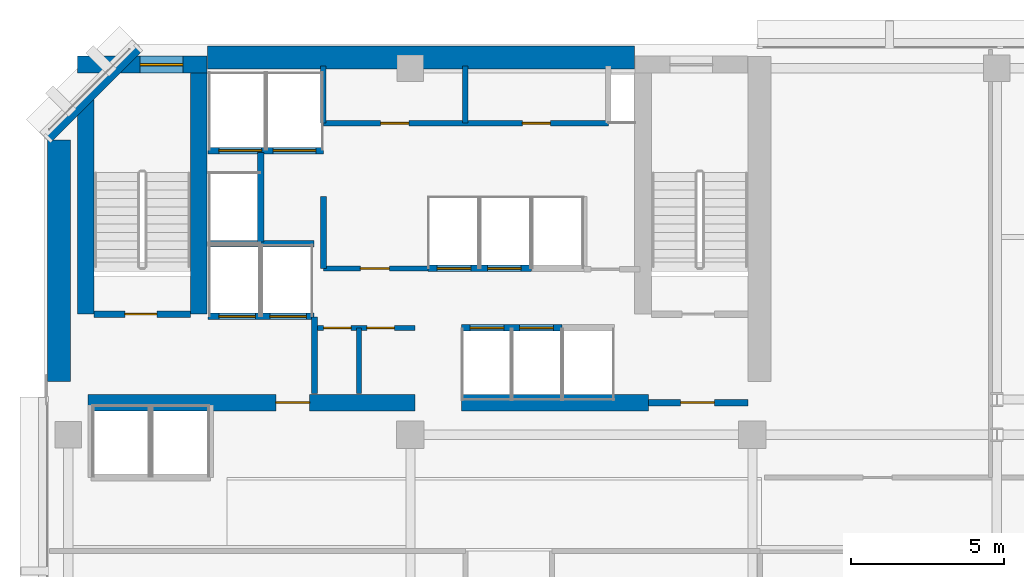
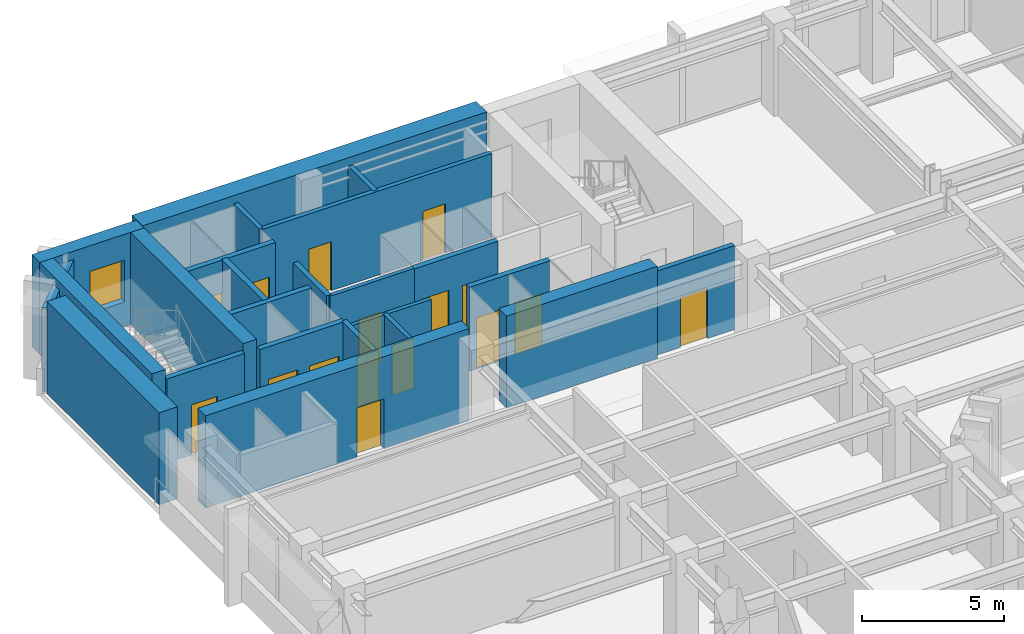
# One storey, part 7 of 11: 24 walls, 16 doors, 1 window, 17 openings.
"""IFC4 building model written with IfcOpenShell, lengths in metres."""

from ifc_helpers import new_model, si_unit, direction, frame, frame_2d, origin, place, context, subcontext, project, spatial, rectangle, extrude, material, layer, layer_set, type_object, element, fill, save


model = new_model("IFC4")

# Units and contexts
model_context = context("Model", 3, precision=1e-05, world=origin(), true_north=direction((0.0, 1.0)))
body_context = subcontext(model_context, "Body", "Model", "MODEL_VIEW")
ifc_project = project(units=[si_unit("LENGTHUNIT", "METRE"), si_unit("AREAUNIT", "SQUARE_METRE"), si_unit("VOLUMEUNIT", "CUBIC_METRE"), si_unit("PLANEANGLEUNIT", "RADIAN"), si_unit("MASSUNIT", "GRAM", prefix="KILO")], contexts=[model_context])

# Site, building, storey
site_placement = place(None, origin())
site = spatial("IfcSite", under=ifc_project, at=site_placement, CompositionType="ELEMENT")
building_placement = place(site_placement, origin())
building = spatial("IfcBuilding", under=site, at=building_placement, Name="Kefirva Bronze Tower", CompositionType="ELEMENT")
storey_placement = place(building_placement, frame((0.0, 0.0, 170.610107421875)))
storey = spatial("IfcBuildingStorey", under=building, at=storey_placement, Name="L41", CompositionType="ELEMENT", Elevation=170.610107421875)

# Wall, opening, door
ifc_material_1 = material(Name="Gypsum fireboard shaftwall")
ifc_layer_1 = layer(ifc_material_1, 0.219970703125, Name="Gypsum fireboard shaftwall")
ifc_layer_set_1 = layer_set([ifc_layer_1], Name="Gypsum fireboard shaftwall")
wall_type_1 = type_object("IfcWallType", Name="Fire-Rated Shaft Enclosure Wall 220mm", PredefinedType="PARTITIONING", material=ifc_layer_set_1)
wall_1_placement = place(storey_placement, frame((1.64990234375, 37.14990234375, 0.0), z_axis=(0.0, 0.0, 1.0), x_axis=(1.0, 0.0, 0.0)))
wall_1 = element("IfcWall", 1, at=wall_1_placement, inside=storey, type_object=wall_type_1, Name="L41 Partition W-L41-ST1S", PredefinedType="PARTITIONING", context=body_context, shape_type="SweptSolid", body=[
    extrude(rectangle(XDim=3.150146484375, YDim=0.219970703125, at=frame_2d((1.5751953125, 0.0))), origin(), (0.0, 0.0, 1.0), 3.60986328125),
])
opening_1_placement = place(wall_1_placement, frame((2.050048828125, 0.0, 0.0), z_axis=(0.0, 0.0, 1.0), x_axis=(-1.0, 0.0, 0.0)))
opening_1 = element("IfcOpeningElement", 2, at=opening_1_placement, cuts=wall_1, Name="Opening L41-D001", PredefinedType="OPENING", context=body_context, shape_type="SweptSolid", body=[
    extrude(rectangle(XDim=1.050048828125, YDim=2.14990234375, at=frame_2d((0.52490234375, 1.074951171875))), frame((0.0, 0.1201171875, 0.0), z_axis=(0.0, -1.0, 0.0), x_axis=(1.0, 0.0, 0.0)), (0.0, 0.0, 1.0), 0.239990234375),
])
ifc_material_2 = material(Name="Painted galvanized steel", Category="steel")
door_type_1 = type_object("IfcDoorType", Name="Fire Stair Enclosure Door 1050x2150 FD90S", OperationType="NOTDEFINED", PredefinedType="DOOR", material=ifc_material_2)
door_1_placement = place(opening_1_placement, origin())
door_1 = element("IfcDoor", 3, at=door_1_placement, inside=storey, type_object=door_type_1, Name="Door L41-D001", OperationType="SINGLE_SWING_LEFT", OverallHeight=2.14990234375, OverallWidth=1.050048828125, PredefinedType="DOOR", context=body_context, shape_type="SweptSolid", body=[
    extrude(rectangle(XDim=1.050048828125, YDim=2.14990234375, at=frame_2d((0.52490234375, 1.074951171875))), frame((0.0, 0.02490234375, 0.0), z_axis=(0.0, -1.0, 0.0), x_axis=(1.0, 0.0, 0.0)), (0.0, 0.0, 1.0), 0.050048828125),
])
fill(opening_1, door_1)

# Wall, openings, doors
wall_2_placement = place(storey_placement, frame((5.3798828125, 37.080078125, 0.0), z_axis=(0.0, 0.0, 1.0), x_axis=(1.0, 0.0, 0.0)))
wall_2 = element("IfcWall", 4, at=wall_2_placement, inside=storey, type_object=wall_type_1, Name="L41 Partition W-L41-FFS", PredefinedType="PARTITIONING", context=body_context, shape_type="SweptSolid", body=[
    extrude(rectangle(XDim=3.460205078125, YDim=0.219970703125, at=frame_2d((1.72998046875, 0.0))), origin(), (0.0, 0.0, 1.0), 3.60986328125),
])
opening_2_placement = place(wall_2_placement, frame((1.550048828125, 0.0, 0.0), z_axis=(0.0, 0.0, 1.0), x_axis=(-1.0, 0.0, 0.0)))
opening_2 = element("IfcOpeningElement", 5, at=opening_2_placement, cuts=wall_2, Name="Opening L41-LD-FF1", PredefinedType="OPENING", context=body_context, shape_type="SweptSolid", body=[
    extrude(rectangle(XDim=1.199951171875, YDim=2.199951171875, at=frame_2d((0.60009765625, 1.10009765625))), frame((0.0, 0.1201171875, 0.0), z_axis=(0.0, -1.0, 0.0), x_axis=(1.0, 0.0, 0.0)), (0.0, 0.0, 1.0), 0.239990234375),
])
opening_3_placement = place(wall_2_placement, frame((3.219970703125, 0.0, 0.0), z_axis=(0.0, 0.0, 1.0), x_axis=(-1.0, 0.0, 0.0)))
opening_3 = element("IfcOpeningElement", 6, at=opening_3_placement, cuts=wall_2, Name="Opening L41-LD-FF2", PredefinedType="OPENING", context=body_context, shape_type="SweptSolid", body=[
    extrude(rectangle(XDim=1.199951171875, YDim=2.199951171875, at=frame_2d((0.60009765625, 1.10009765625))), frame((0.0, 0.1201171875, 0.0), z_axis=(0.0, -1.0, 0.0), x_axis=(1.0, 0.0, 0.0)), (0.0, 0.0, 1.0), 0.239990234375),
])
ifc_material_3 = material(Name="Stainless steel 316", Category="steel")
door_type_2 = type_object("IfcDoorType", Name="Firefighting Lift Sliding Door 1200x2200", OperationType="SLIDING_TO_RIGHT", PredefinedType="DOOR", material=ifc_material_3)
door_2_placement = place(opening_2_placement, origin())
door_2 = element("IfcDoor", 7, at=door_2_placement, inside=storey, type_object=door_type_2, Name="Door L41-LD-FF1", OperationType="SLIDING_TO_RIGHT", OverallHeight=2.199951171875, OverallWidth=1.199951171875, PredefinedType="DOOR", context=body_context, shape_type="SweptSolid", body=[
    extrude(rectangle(XDim=1.199951171875, YDim=2.199951171875, at=frame_2d((0.60009765625, 1.10009765625))), frame((0.0, 0.02490234375, 0.0), z_axis=(0.0, -1.0, 0.0), x_axis=(1.0, 0.0, 0.0)), (0.0, 0.0, 1.0), 0.050048828125),
])
fill(opening_2, door_2)
door_3_placement = place(opening_3_placement, origin())
door_3 = element("IfcDoor", 8, at=door_3_placement, inside=storey, type_object=door_type_2, Name="Door L41-LD-FF2", OperationType="SLIDING_TO_RIGHT", OverallHeight=2.199951171875, OverallWidth=1.199951171875, PredefinedType="DOOR", context=body_context, shape_type="SweptSolid", body=[
    extrude(rectangle(XDim=1.199951171875, YDim=2.199951171875, at=frame_2d((0.60009765625, 1.10009765625))), frame((0.0, 0.02490234375, 0.0), z_axis=(0.0, -1.0, 0.0), x_axis=(1.0, 0.0, 0.0)), (0.0, 0.0, 1.0), 0.050048828125),
])
fill(opening_3, door_3)

# Wall
wall_3_placement = place(storey_placement, frame((5.3798828125, 39.449951171875, 0.0), z_axis=(0.0, 0.0, 1.0), x_axis=(1.0, 0.0, 0.0)))
element("IfcWall", 9, at=wall_3_placement, inside=storey, type_object=wall_type_1, Name="L41 Partition W-L41-FFN", PredefinedType="PARTITIONING", context=body_context, shape_type="SweptSolid", body=[
    extrude(rectangle(XDim=3.460205078125, YDim=0.219970703125, at=frame_2d((1.72998046875, 0.0))), origin(), (0.0, 0.0, 1.0), 3.60986328125),
])

# Wall, openings, doors
wall_4_placement = place(storey_placement, frame((5.3798828125, 42.5, 0.0), z_axis=(0.0, 0.0, 1.0), x_axis=(1.0, 0.0, 0.0)))
wall_4 = element("IfcWall", 10, at=wall_4_placement, inside=storey, type_object=wall_type_1, Name="L41 Partition W-L41-SVS", PredefinedType="PARTITIONING", context=body_context, shape_type="SweptSolid", body=[
    extrude(rectangle(XDim=3.77001953125, YDim=0.219970703125, at=frame_2d((1.885009765625, 0.0))), origin(), (0.0, 0.0, 1.0), 3.60986328125),
])
opening_4_placement = place(wall_4_placement, frame((1.75, 0.0, 0.0), z_axis=(0.0, 0.0, 1.0), x_axis=(-1.0, 0.0, 0.0)))
opening_4 = element("IfcOpeningElement", 11, at=opening_4_placement, cuts=wall_4, Name="Opening L41-LD-SV1", PredefinedType="OPENING", context=body_context, shape_type="SweptSolid", body=[
    extrude(rectangle(XDim=1.39990234375, YDim=2.199951171875, at=frame_2d((0.699951171875, 1.10009765625))), frame((0.0, 0.1201171875, 0.0), z_axis=(0.0, -1.0, 0.0), x_axis=(1.0, 0.0, 0.0)), (0.0, 0.0, 1.0), 0.239990234375),
])
opening_5_placement = place(wall_4_placement, frame((3.52978515625, 0.0, 0.0), z_axis=(0.0, 0.0, 1.0), x_axis=(-1.0, 0.0, 0.0)))
opening_5 = element("IfcOpeningElement", 12, at=opening_5_placement, cuts=wall_4, Name="Opening L41-LD-SV2", PredefinedType="OPENING", context=body_context, shape_type="SweptSolid", body=[
    extrude(rectangle(XDim=1.39990234375, YDim=2.199951171875, at=frame_2d((0.699951171875, 1.10009765625))), frame((0.0, 0.1201171875, 0.0), z_axis=(0.0, -1.0, 0.0), x_axis=(1.0, 0.0, 0.0)), (0.0, 0.0, 1.0), 0.239990234375),
])
door_type_3 = type_object("IfcDoorType", Name="Goods Lift Bi-Parting Sliding Door 1400x2200", OperationType="SLIDING_TO_LEFT", PredefinedType="DOOR", material=ifc_material_3)
door_4_placement = place(opening_4_placement, origin())
door_4 = element("IfcDoor", 13, at=door_4_placement, inside=storey, type_object=door_type_3, Name="Door L41-LD-SV1", OperationType="SLIDING_TO_LEFT", OverallHeight=2.199951171875, OverallWidth=1.39990234375, PredefinedType="DOOR", context=body_context, shape_type="SweptSolid", body=[
    extrude(rectangle(XDim=1.39990234375, YDim=2.199951171875, at=frame_2d((0.699951171875, 1.10009765625))), frame((0.0, 0.02490234375, 0.0), z_axis=(0.0, -1.0, 0.0), x_axis=(1.0, 0.0, 0.0)), (0.0, 0.0, 1.0), 0.050048828125),
])
fill(opening_4, door_4)
door_5_placement = place(opening_5_placement, origin())
door_5 = element("IfcDoor", 14, at=door_5_placement, inside=storey, type_object=door_type_3, Name="Door L41-LD-SV2", OperationType="SLIDING_TO_LEFT", OverallHeight=2.199951171875, OverallWidth=1.39990234375, PredefinedType="DOOR", context=body_context, shape_type="SweptSolid", body=[
    extrude(rectangle(XDim=1.39990234375, YDim=2.199951171875, at=frame_2d((0.699951171875, 1.10009765625))), frame((0.0, 0.02490234375, 0.0), z_axis=(0.0, -1.0, 0.0), x_axis=(1.0, 0.0, 0.0)), (0.0, 0.0, 1.0), 0.050048828125),
])
fill(opening_5, door_5)

# Walls
wall_5_placement = place(storey_placement, frame((7.10009765625, 39.52001953125, 0.0), z_axis=(0.0, 0.0, 1.0), x_axis=(0.0, 1.0, 0.0)))
element("IfcWall", 15, at=wall_5_placement, inside=storey, type_object=wall_type_1, Name="L41 Partition W-L41-HP3E", PredefinedType="PARTITIONING", context=body_context, shape_type="SweptSolid", body=[
    extrude(rectangle(XDim=2.929931640625, YDim=0.219970703125, at=frame_2d((1.46484375, 0.0))), origin(), (0.0, 0.0, 1.0), 3.60986328125),
])
wall_6_placement = place(storey_placement, frame((9.159912109375, 38.64990234375, 0.0), z_axis=(0.0, 0.0, 1.0), x_axis=(0.0, 1.0, 0.0)))
element("IfcWall", 16, at=wall_6_placement, inside=storey, type_object=wall_type_1, Name="L41 Partition W-L41-LP3W", PredefinedType="PARTITIONING", context=body_context, shape_type="SweptSolid", body=[
    extrude(rectangle(XDim=2.35009765625, YDim=0.199951171875, at=frame_2d((1.175048828125, 0.0))), origin(), (0.0, 0.0, 1.0), 3.60986328125),
])

# Wall, openings, doors
wall_7_placement = place(storey_placement, frame((13.679931640625, 36.699951171875, 0.0), z_axis=(0.0, 0.0, 1.0), x_axis=(1.0, 0.0, 0.0)))
wall_7 = element("IfcWall", 17, at=wall_7_placement, inside=storey, type_object=wall_type_1, Name="L41 Partition W-L41-MPS", PredefinedType="PARTITIONING", context=body_context, shape_type="SweptSolid", body=[
    extrude(rectangle(XDim=3.280029296875, YDim=0.219970703125, at=frame_2d((1.64013671875, 0.0))), origin(), (0.0, 0.0, 1.0), 3.60986328125),
])
opening_6_placement = place(wall_7_placement, frame((0.280029296875, 0.0, 0.0)))
opening_6 = element("IfcOpeningElement", 18, at=opening_6_placement, cuts=wall_7, Name="Opening L41-LD-MP1", PredefinedType="OPENING", context=body_context, shape_type="SweptSolid", body=[
    extrude(rectangle(XDim=1.10009765625, YDim=2.199951171875, at=frame_2d((0.550048828125, 1.10009765625))), frame((0.0, 0.1201171875, 0.0), z_axis=(0.0, -1.0, 0.0), x_axis=(1.0, 0.0, 0.0)), (0.0, 0.0, 1.0), 0.239990234375),
])
opening_7_placement = place(wall_7_placement, frame((1.89990234375, 0.0, 0.0)))
opening_7 = element("IfcOpeningElement", 19, at=opening_7_placement, cuts=wall_7, Name="Opening L41-LD-MP2", PredefinedType="OPENING", context=body_context, shape_type="SweptSolid", body=[
    extrude(rectangle(XDim=1.10009765625, YDim=2.199951171875, at=frame_2d((0.550048828125, 1.10009765625))), frame((0.0, 0.1201171875, 0.0), z_axis=(0.0, -1.0, 0.0), x_axis=(1.0, 0.0, 0.0)), (0.0, 0.0, 1.0), 0.239990234375),
])
door_type_4 = type_object("IfcDoorType", Name="Passenger Lift Sliding Landing Door 1100x2200", OperationType="SLIDING_TO_LEFT", PredefinedType="DOOR", material=ifc_material_3)
door_6_placement = place(opening_6_placement, origin())
door_6 = element("IfcDoor", 20, at=door_6_placement, inside=storey, type_object=door_type_4, Name="Door L41-LD-MP1", OperationType="SLIDING_TO_RIGHT", OverallHeight=2.199951171875, OverallWidth=1.10009765625, PredefinedType="DOOR", context=body_context, shape_type="SweptSolid", body=[
    extrude(rectangle(XDim=1.10009765625, YDim=2.199951171875, at=frame_2d((0.550048828125, 1.10009765625))), frame((0.0, 0.02490234375, 0.0), z_axis=(0.0, -1.0, 0.0), x_axis=(1.0, 0.0, 0.0)), (0.0, 0.0, 1.0), 0.050048828125),
])
fill(opening_6, door_6)
door_7_placement = place(opening_7_placement, origin())
door_7 = element("IfcDoor", 21, at=door_7_placement, inside=storey, type_object=door_type_4, Name="Door L41-LD-MP2", OperationType="SLIDING_TO_RIGHT", OverallHeight=2.199951171875, OverallWidth=1.10009765625, PredefinedType="DOOR", context=body_context, shape_type="SweptSolid", body=[
    extrude(rectangle(XDim=1.10009765625, YDim=2.199951171875, at=frame_2d((0.550048828125, 1.10009765625))), frame((0.0, 0.02490234375, 0.0), z_axis=(0.0, -1.0, 0.0), x_axis=(1.0, 0.0, 0.0)), (0.0, 0.0, 1.0), 0.050048828125),
])
fill(opening_7, door_7)

wall_8_placement = place(storey_placement, frame((12.580078125, 38.64990234375, 0.0), z_axis=(0.0, 0.0, 1.0), x_axis=(1.0, 0.0, 0.0)))
wall_8 = element("IfcWall", 22, at=wall_8_placement, inside=storey, type_object=wall_type_1, Name="L41 Partition W-L41-MPN", PredefinedType="PARTITIONING", context=body_context, shape_type="SweptSolid", body=[
    extrude(rectangle(XDim=3.3798828125, YDim=0.219970703125, at=frame_2d((1.68994140625, 0.0))), origin(), (0.0, 0.0, 1.0), 3.60986328125),
])
opening_8_placement = place(wall_8_placement, frame((0.300048828125, 0.0, 0.0)))
opening_8 = element("IfcOpeningElement", 23, at=opening_8_placement, cuts=wall_8, Name="Opening L41-LD-MP3", PredefinedType="OPENING", context=body_context, shape_type="SweptSolid", body=[
    extrude(rectangle(XDim=1.10009765625, YDim=2.199951171875, at=frame_2d((0.550048828125, 1.10009765625))), frame((0.0, 0.1201171875, 0.0), z_axis=(0.0, -1.0, 0.0), x_axis=(1.0, 0.0, 0.0)), (0.0, 0.0, 1.0), 0.239990234375),
])
opening_9_placement = place(wall_8_placement, frame((1.949951171875, 0.0, 0.0)))
opening_9 = element("IfcOpeningElement", 24, at=opening_9_placement, cuts=wall_8, Name="Opening L41-LD-MP4", PredefinedType="OPENING", context=body_context, shape_type="SweptSolid", body=[
    extrude(rectangle(XDim=1.10009765625, YDim=2.199951171875, at=frame_2d((0.550048828125, 1.10009765625))), frame((0.0, 0.1201171875, 0.0), z_axis=(0.0, -1.0, 0.0), x_axis=(1.0, 0.0, 0.0)), (0.0, 0.0, 1.0), 0.239990234375),
])
door_8_placement = place(opening_8_placement, origin())
door_8 = element("IfcDoor", 25, at=door_8_placement, inside=storey, type_object=door_type_4, Name="Door L41-LD-MP3", OperationType="SLIDING_TO_RIGHT", OverallHeight=2.199951171875, OverallWidth=1.10009765625, PredefinedType="DOOR", context=body_context, shape_type="SweptSolid", body=[
    extrude(rectangle(XDim=1.10009765625, YDim=2.199951171875, at=frame_2d((0.550048828125, 1.10009765625))), frame((0.0, 0.02490234375, 0.0), z_axis=(0.0, -1.0, 0.0), x_axis=(1.0, 0.0, 0.0)), (0.0, 0.0, 1.0), 0.050048828125),
])
fill(opening_8, door_8)
door_9_placement = place(opening_9_placement, origin())
door_9 = element("IfcDoor", 26, at=door_9_placement, inside=storey, type_object=door_type_4, Name="Door L41-LD-MP4", OperationType="SLIDING_TO_RIGHT", OverallHeight=2.199951171875, OverallWidth=1.10009765625, PredefinedType="DOOR", context=body_context, shape_type="SweptSolid", body=[
    extrude(rectangle(XDim=1.10009765625, YDim=2.199951171875, at=frame_2d((0.550048828125, 1.10009765625))), frame((0.0, 0.02490234375, 0.0), z_axis=(0.0, -1.0, 0.0), x_axis=(1.0, 0.0, 0.0)), (0.0, 0.0, 1.0), 0.050048828125),
])
fill(opening_9, door_9)

# Wall
ifc_material_4 = material(Name="Gypsum fireboard barrier")
ifc_layer_2 = layer(ifc_material_4, 0.199951171875, Name="Gypsum fireboard barrier")
ifc_layer_set_2 = layer_set([ifc_layer_2], Name="Gypsum fireboard barrier")
wall_type_2 = type_object("IfcWallType", Name="Firefighting Lobby Barrier Wall 200mm", PredefinedType="PARTITIONING", material=ifc_layer_set_2)
wall_9_placement = place(storey_placement, frame((8.860107421875, 34.550048828125, 0.0), z_axis=(0.0, 0.0, 1.0), x_axis=(0.0, 1.0, 0.0)))
element("IfcWall", 27, at=wall_9_placement, inside=storey, type_object=wall_type_2, Name="L41 Partition W-L41-FFLE", PredefinedType="PARTITIONING", context=body_context, shape_type="SweptSolid", body=[
    extrude(rectangle(XDim=2.5, YDim=0.199951171875, at=frame_2d((1.25, 0.0))), origin(), (0.0, 0.0, 1.0), 3.60986328125),
])

# Wall, opening, door
wall_10_placement = place(storey_placement, frame((19.800048828125, 34.25, 0.0), z_axis=(0.0, 0.0, 1.0), x_axis=(1.0, 0.0, 0.0)))
wall_10 = element("IfcWall", 28, at=wall_10_placement, inside=storey, type_object=wall_type_2, Name="L41 Partition W-L41-ST2F", PredefinedType="PARTITIONING", context=body_context, shape_type="SweptSolid", body=[
    extrude(rectangle(XDim=3.25, YDim=0.199951171875, at=frame_2d((1.625, 0.0))), origin(), (0.0, 0.0, 1.0), 3.60986328125),
])
opening_10_placement = place(wall_10_placement, frame((2.150146484375, 0.0, 0.0), z_axis=(0.0, 0.0, 1.0), x_axis=(-1.0, 0.0, 0.0)))
opening_10 = element("IfcOpeningElement", 29, at=opening_10_placement, cuts=wall_10, Name="Opening L41-D004", PredefinedType="OPENING", context=body_context, shape_type="SweptSolid", body=[
    extrude(rectangle(XDim=1.10009765625, YDim=2.14990234375, at=frame_2d((0.550048828125, 1.074951171875))), frame((0.0, 0.10986328125, 0.0), z_axis=(0.0, -1.0, 0.0), x_axis=(1.0, 0.0, 0.0)), (0.0, 0.0, 1.0), 0.219970703125),
])
door_type_5 = type_object("IfcDoorType", Name="Firefighting Lobby Smoke Door 1100x2150 FD60S", OperationType="NOTDEFINED", PredefinedType="DOOR", material=ifc_material_2)
door_10_placement = place(opening_10_placement, origin())
door_10 = element("IfcDoor", 30, at=door_10_placement, inside=storey, type_object=door_type_5, Name="Door L41-D004", OperationType="SINGLE_SWING_RIGHT", OverallHeight=2.14990234375, OverallWidth=1.10009765625, PredefinedType="DOOR", context=body_context, shape_type="SweptSolid", body=[
    extrude(rectangle(XDim=1.10009765625, YDim=2.14990234375, at=frame_2d((0.550048828125, 1.074951171875))), frame((0.0, 0.02490234375, 0.0), z_axis=(0.0, -1.0, 0.0), x_axis=(1.0, 0.0, 0.0)), (0.0, 0.0, 1.0), 0.050048828125),
])
fill(opening_10, door_10)

# Wall
ifc_material_5 = material(Name="Precast concrete C40/50", Category="concrete")
ifc_layer_3 = layer(ifc_material_5, 0.320068359375, Name="Precast concrete C40/50")
ifc_layer_set_3 = layer_set([ifc_layer_3], Name="Precast concrete C40/50")
wall_type_3 = type_object("IfcWallType", Name="Precast Insulated Exterior Wall 320mm", PredefinedType="SOLIDWALL", material=ifc_layer_set_3)
wall_11_placement = place(storey_placement, frame((3.07421875, 45.847900390625, 0.0), z_axis=(0.0, 0.0, 1.0), x_axis=(-0.707106781187, -0.707106781187, 0.0)))
element("IfcWall", 31, at=wall_11_placement, inside=storey, type_object=wall_type_3, Name="L41 Exterior Facade Wall 5", PredefinedType="SOLIDWALL", context=body_context, shape_type="SweptSolid", body=[
    extrude(rectangle(XDim=4.132568359375, YDim=0.320068359375, at=frame_2d((2.06640625, 0.0))), origin(), (0.0, 0.0, 1.0), 3.60986328125),
])

# Wall, openings, doors
ifc_material_6 = material(Name="Gypsum acoustic partition")
ifc_layer_4 = layer(ifc_material_6, 0.159912109375, Name="Gypsum acoustic partition")
ifc_layer_set_4 = layer_set([ifc_layer_4], Name="Gypsum acoustic partition")
wall_type_4 = type_object("IfcWallType", Name="Protected Corridor Partition 160mm", PredefinedType="PARTITIONING", material=ifc_layer_set_4)
wall_12_placement = place(storey_placement, frame((8.89990234375, 36.699951171875, 0.0), z_axis=(0.0, 0.0, 1.0), x_axis=(1.0, 0.0, 0.0)))
wall_12 = element("IfcWall", 32, at=wall_12_placement, inside=storey, type_object=wall_type_4, Name="L41 Partition W-L41-RECLP1", PredefinedType="PARTITIONING", context=body_context, shape_type="SweptSolid", body=[
    extrude(rectangle(XDim=3.25, YDim=0.159912109375, at=frame_2d((1.625, 0.0))), origin(), (0.0, 0.0, 1.0), 3.60986328125),
])
opening_11_placement = place(wall_12_placement, frame((0.260009765625, 0.0, 0.0)))
opening_11 = element("IfcOpeningElement", 33, at=opening_11_placement, cuts=wall_12, Name="Opening L41-D-RECLP1A", PredefinedType="OPENING", context=body_context, shape_type="SweptSolid", body=[
    extrude(rectangle(XDim=0.89990234375, YDim=2.14990234375, at=frame_2d((0.449951171875, 1.074951171875))), frame((0.0, 0.08984375, 0.0), z_axis=(0.0, -1.0, 0.0), x_axis=(1.0, 0.0, 0.0)), (0.0, 0.0, 1.0), 0.179931640625),
])
opening_12_placement = place(wall_12_placement, frame((1.679931640625, 0.0, 0.0)))
opening_12 = element("IfcOpeningElement", 34, at=opening_12_placement, cuts=wall_12, Name="Opening L41-D-RECLP1B", PredefinedType="OPENING", context=body_context, shape_type="SweptSolid", body=[
    extrude(rectangle(XDim=0.89990234375, YDim=2.14990234375, at=frame_2d((0.449951171875, 1.074951171875))), frame((0.0, 0.08984375, 0.0), z_axis=(0.0, -1.0, 0.0), x_axis=(1.0, 0.0, 0.0)), (0.0, 0.0, 1.0), 0.179931640625),
])
door_type_6 = type_object("IfcDoorType", Name="Core Archive & Server Fire Door 900x2150 FD60S", OperationType="NOTDEFINED", PredefinedType="DOOR", material=ifc_material_2)
door_11_placement = place(opening_11_placement, origin())
door_11 = element("IfcDoor", 35, at=door_11_placement, inside=storey, type_object=door_type_6, Name="Door L41-D-RECLP1A", OperationType="SINGLE_SWING_RIGHT", OverallHeight=2.14990234375, OverallWidth=0.89990234375, PredefinedType="DOOR", context=body_context, shape_type="SweptSolid", body=[
    extrude(rectangle(XDim=0.89990234375, YDim=2.14990234375, at=frame_2d((0.449951171875, 1.074951171875))), frame((0.0, 0.02490234375, 0.0), z_axis=(0.0, -1.0, 0.0), x_axis=(1.0, 0.0, 0.0)), (0.0, 0.0, 1.0), 0.050048828125),
])
fill(opening_11, door_11)
door_12_placement = place(opening_12_placement, origin())
door_12 = element("IfcDoor", 36, at=door_12_placement, inside=storey, type_object=door_type_6, Name="Door L41-D-RECLP1B", OperationType="SINGLE_SWING_LEFT", OverallHeight=2.14990234375, OverallWidth=0.89990234375, PredefinedType="DOOR", context=body_context, shape_type="SweptSolid", body=[
    extrude(rectangle(XDim=0.89990234375, YDim=2.14990234375, at=frame_2d((0.449951171875, 1.074951171875))), frame((0.0, 0.02490234375, 0.0), z_axis=(0.0, -1.0, 0.0), x_axis=(1.0, 0.0, 0.0)), (0.0, 0.0, 1.0), 0.050048828125),
])
fill(opening_12, door_12)

# Wall
wall_13_placement = place(storey_placement, frame((10.320068359375, 34.550048828125, 0.0), z_axis=(0.0, 0.0, 1.0), x_axis=(0.0, 1.0, 0.0)))
element("IfcWall", 37, at=wall_13_placement, inside=storey, type_object=wall_type_4, Name="L41 Partition W-L41-RECLP1D", PredefinedType="PARTITIONING", context=body_context, shape_type="SweptSolid", body=[
    extrude(rectangle(XDim=2.14990234375, YDim=0.159912109375, at=frame_2d((1.074951171875, 0.0))), origin(), (0.0, 0.0, 1.0), 3.60986328125),
])

# Wall, opening, door
wall_14_placement = place(storey_placement, frame((9.159912109375, 38.64990234375, 0.0), z_axis=(0.0, 0.0, 1.0), x_axis=(1.0, 0.0, 0.0)))
wall_14 = element("IfcWall", 38, at=wall_14_placement, inside=storey, type_object=wall_type_4, Name="L41 Partition W-L41-RECLP2", PredefinedType="PARTITIONING", context=body_context, shape_type="SweptSolid", body=[
    extrude(rectangle(XDim=3.420166015625, YDim=0.159912109375, at=frame_2d((1.7099609375, 0.0))), origin(), (0.0, 0.0, 1.0), 3.60986328125),
])
opening_13_placement = place(wall_14_placement, frame((2.14990234375, 0.0, 0.0), z_axis=(0.0, 0.0, 1.0), x_axis=(-1.0, 0.0, 0.0)))
opening_13 = element("IfcOpeningElement", 39, at=opening_13_placement, cuts=wall_14, Name="Opening L41-D-RECLP2", PredefinedType="OPENING", context=body_context, shape_type="SweptSolid", body=[
    extrude(rectangle(XDim=0.949951171875, YDim=2.14990234375, at=frame_2d((0.47509765625, 1.074951171875))), frame((0.0, 0.08984375, 0.0), z_axis=(0.0, -1.0, 0.0), x_axis=(1.0, 0.0, 0.0)), (0.0, 0.0, 1.0), 0.179931640625),
])
ifc_material_7 = material(Name="Acoustic hardwood oak", Category="wood")
door_type_7 = type_object("IfcDoorType", Name="Office & Meeting Room Door 950x2150", OperationType="NOTDEFINED", PredefinedType="DOOR", material=ifc_material_7)
door_13_placement = place(opening_13_placement, origin())
door_13 = element("IfcDoor", 40, at=door_13_placement, inside=storey, type_object=door_type_7, Name="Door L41-D-RECLP2", OperationType="SINGLE_SWING_RIGHT", OverallHeight=2.14990234375, OverallWidth=0.949951171875, PredefinedType="DOOR", context=body_context, shape_type="SweptSolid", body=[
    extrude(rectangle(XDim=0.949951171875, YDim=2.14990234375, at=frame_2d((0.47509765625, 1.074951171875))), frame((0.0, 0.02490234375, 0.0), z_axis=(0.0, -1.0, 0.0), x_axis=(1.0, 0.0, 0.0)), (0.0, 0.0, 1.0), 0.050048828125),
])
fill(opening_13, door_13)

# Wall, opening, window
ifc_material_8 = material(Name="Concrete C50/60", Category="concrete")
ifc_layer_5 = layer(ifc_material_8, 0.550048828125, Name="Concrete C50/60")
ifc_layer_set_5 = layer_set([ifc_layer_5], Name="Concrete C50/60")
wall_type_5 = type_object("IfcWallType", Name="RC Rear Core Exterior Wall 550mm", PredefinedType="SHEAR", material=ifc_layer_set_5)
wall_15_placement = place(storey_placement, frame((1.10009765625, 45.320068359375, 0.0), z_axis=(0.0, 0.0, 1.0), x_axis=(1.0, 0.0, 0.0)))
wall_15 = element("IfcWall", 41, at=wall_15_placement, inside=storey, type_object=wall_type_5, Name="L41 Stair 1 North Shear Wall", PredefinedType="SHEAR", context=body_context, shape_type="SweptSolid", body=[
    extrude(rectangle(XDim=4.239990234375, YDim=0.550048828125, at=frame_2d((2.1201171875, 0.0))), origin(), (0.0, 0.0, 1.0), 3.9599609375),
])
opening_14_placement = place(wall_15_placement, frame((2.050048828125, 0.0, 1.050048828125)))
opening_14 = element("IfcOpeningElement", 42, at=opening_14_placement, cuts=wall_15, Name="Opening WN-03", PredefinedType="OPENING", context=body_context, shape_type="SweptSolid", body=[
    extrude(rectangle(XDim=1.39990234375, YDim=1.800048828125, at=frame_2d((0.699951171875, 0.89990234375))), frame((0.0, 0.28515625, 0.0), z_axis=(0.0, -1.0, 0.0), x_axis=(1.0, 0.0, 0.0)), (0.0, 0.0, 1.0), 0.570068359375),
])
ifc_material_9 = material(Name="Laminated low-E double glazing", Category="glass")
window_type = type_object("IfcWindowType", Name="Rear-Core Stair Daylight Window 1400x1800", PartitioningType="SINGLE_PANEL", PredefinedType="WINDOW", material=ifc_material_9)
window_placement = place(opening_14_placement, origin())
window = element("IfcWindow", 43, at=window_placement, inside=storey, type_object=window_type, Name="L41 Stair 1 Daylight Window", OverallHeight=1.800048828125, OverallWidth=1.39990234375, PartitioningType="SINGLE_PANEL", PredefinedType="WINDOW", context=body_context, shape_type="SweptSolid", body=[
    extrude(rectangle(XDim=1.39990234375, YDim=1.800048828125, at=frame_2d((0.699951171875, 0.89990234375))), frame((0.0, 0.030029296875, 0.0), z_axis=(0.0, -1.0, 0.0), x_axis=(1.0, 0.0, 0.0)), (0.0, 0.0, 1.0), 0.06005859375),
])
fill(opening_14, window)

# Walls
ifc_material_10 = material(Name="Concrete C60/75", Category="concrete")
ifc_layer_6 = layer(ifc_material_10, 0.75, Name="Concrete C60/75")
ifc_layer_set_6 = layer_set([ifc_layer_6], Name="Concrete C60/75")
wall_type_6 = type_object("IfcWallType", Name="RC Rear Core Exterior Wall 750mm", PredefinedType="SHEAR", material=ifc_layer_set_6)
wall_16_placement = place(storey_placement, frame((5.360107421875, 45.550048828125, 0.0), z_axis=(0.0, 0.0, 1.0), x_axis=(1.0, 0.0, 0.0)))
element("IfcWall", 44, at=wall_16_placement, inside=storey, type_object=wall_type_6, Name="L41 Rear Core North Shear Wall", PredefinedType="SHEAR", context=body_context, shape_type="SweptSolid", body=[
    extrude(rectangle(XDim=13.97998046875, YDim=0.75, at=frame_2d((6.989990234375, 0.0))), origin(), (0.0, 0.0, 1.0), 3.9599609375),
])
wall_17_placement = place(storey_placement, frame((0.5, 34.949951171875, 0.0), z_axis=(0.0, 0.0, 1.0), x_axis=(0.0, 1.0, 0.0)))
element("IfcWall", 45, at=wall_17_placement, inside=storey, type_object=wall_type_6, Name="L41 Rear Core West Shear Wall", PredefinedType="SHEAR", context=body_context, shape_type="SweptSolid", body=[
    extrude(rectangle(XDim=7.900146484375, YDim=0.75, at=frame_2d((3.9501953125, 0.0))), origin(), (0.0, 0.0, 1.0), 3.9599609375),
])
ifc_layer_7 = layer(ifc_material_8, 0.550048828125, Name="Concrete C50/60")
ifc_layer_set_7 = layer_set([ifc_layer_7], Name="Concrete C50/60")
wall_type_7 = type_object("IfcWallType", Name="RC Rear Core Interior Wall 550mm", PredefinedType="SHEAR", material=ifc_layer_set_7)
for number, where, z_axis, x_axis, name in (
    (46, (1.3701171875, 37.14990234375, 0.0), (0.0, 0.0, 1.0), (0.0, 1.0, 0.0), "L41 Stair 1 West Shear Wall"),
    (47, (5.070068359375, 37.14990234375, 0.0), (0.0, 0.0, 1.0), (0.0, 1.0, 0.0), "L41 Stair 1 East Shear Wall"),
):
    element("IfcWall", number, at=place(storey_placement, frame(where, z_axis=z_axis, x_axis=x_axis)), inside=storey, type_object=wall_type_7, Name=name, PredefinedType="SHEAR", context=body_context, shape_type="SweptSolid", body=[
        extrude(rectangle(XDim=7.89013671875, YDim=0.550048828125, at=frame_2d((3.945068359375, 0.0))), origin(), (0.0, 0.0, 1.0), 3.9599609375),
    ])

# Wall, opening, door
ifc_layer_8 = layer(ifc_material_10, 0.75, Name="Concrete C60/75")
ifc_layer_set_8 = layer_set([ifc_layer_8], Name="Concrete C60/75")
wall_type_8 = type_object("IfcWallType", Name="RC Rear Core Interior Wall 750mm", PredefinedType="SHEAR", material=ifc_layer_set_8)
wall_18_placement = place(storey_placement, frame((1.449951171875, 34.25, 0.0), z_axis=(0.0, 0.0, 1.0), x_axis=(1.0, 0.0, 0.0)))
wall_18 = element("IfcWall", 48, at=wall_18_placement, inside=storey, type_object=wall_type_8, Name="L41 Rear Core South-West Shear Wall", PredefinedType="SHEAR", context=body_context, shape_type="SweptSolid", body=[
    extrude(rectangle(XDim=10.7099609375, YDim=0.550048828125, at=frame_2d((5.35498046875, 0.0))), origin(), (0.0, 0.0, 1.0), 3.9599609375),
])
opening_15_placement = place(wall_18_placement, frame((7.25, 0.0, 0.0), z_axis=(0.0, 0.0, 1.0), x_axis=(-1.0, 0.0, 0.0)))
opening_15 = element("IfcOpeningElement", 49, at=opening_15_placement, cuts=wall_18, Name="Opening L41-D002", PredefinedType="OPENING", context=body_context, shape_type="SweptSolid", body=[
    extrude(rectangle(XDim=1.10009765625, YDim=2.14990234375, at=frame_2d((0.550048828125, 1.074951171875))), frame((0.0, 0.28515625, 0.0), z_axis=(0.0, -1.0, 0.0), x_axis=(1.0, 0.0, 0.0)), (0.0, 0.0, 1.0), 0.570068359375),
])
door_14_placement = place(opening_15_placement, origin())
door_14 = element("IfcDoor", 50, at=door_14_placement, inside=storey, type_object=door_type_5, Name="Door L41-D002", OperationType="SINGLE_SWING_RIGHT", OverallHeight=2.14990234375, OverallWidth=1.10009765625, PredefinedType="DOOR", context=body_context, shape_type="SweptSolid", body=[
    extrude(rectangle(XDim=1.10009765625, YDim=2.14990234375, at=frame_2d((0.550048828125, 1.074951171875))), frame((0.0, 0.02490234375, 0.0), z_axis=(0.0, -1.0, 0.0), x_axis=(1.0, 0.0, 0.0)), (0.0, 0.0, 1.0), 0.050048828125),
])
fill(opening_15, door_14)

# Wall
wall_19_placement = place(storey_placement, frame((13.679931640625, 34.25, 0.0), z_axis=(0.0, 0.0, 1.0), x_axis=(1.0, 0.0, 0.0)))
element("IfcWall", 51, at=wall_19_placement, inside=storey, type_object=wall_type_8, Name="L41 Rear Core South-East Shear Wall", PredefinedType="SHEAR", context=body_context, shape_type="SweptSolid", body=[
    extrude(rectangle(XDim=6.1201171875, YDim=0.550048828125, at=frame_2d((3.06005859375, 0.0))), origin(), (0.0, 0.0, 1.0), 3.9599609375),
])

# Wall, openings, doors
ifc_material_11 = material(Name="Moisture-resistant partition")
ifc_layer_9 = layer(ifc_material_11, 0.179931640625, Name="Moisture-resistant partition")
ifc_layer_set_9 = layer_set([ifc_layer_9], Name="Moisture-resistant partition")
wall_type_9 = type_object("IfcWallType", Name="Sanitary Plumbing Chase Wall 180mm", PredefinedType="PLUMBINGWALL", material=ifc_layer_set_9)
wall_20_placement = place(storey_placement, frame((9.14990234375, 43.39990234375, 0.0), z_axis=(0.0, 0.0, 1.0), x_axis=(1.0, 0.0, 0.0)))
wall_20 = element("IfcWall", 52, at=wall_20_placement, inside=storey, type_object=wall_type_9, Name="L41 Partition W-L41-SVCS", PredefinedType="PLUMBINGWALL", context=body_context, shape_type="SweptSolid", body=[
    extrude(rectangle(XDim=9.330078125, YDim=0.179931640625, at=frame_2d((4.6650390625, 0.0))), origin(), (0.0, 0.0, 1.0), 3.60986328125),
])
opening_16_placement = place(wall_20_placement, frame((1.8798828125, 0.0, 0.0)))
opening_16 = element("IfcOpeningElement", 53, at=opening_16_placement, cuts=wall_20, Name="Opening L41-D-CSVC1", PredefinedType="OPENING", context=body_context, shape_type="SweptSolid", body=[
    extrude(rectangle(XDim=0.919921875, YDim=2.10009765625, at=frame_2d((0.4599609375, 1.050048828125))), frame((0.0, 0.10009765625, 0.0), z_axis=(0.0, -1.0, 0.0), x_axis=(1.0, 0.0, 0.0)), (0.0, 0.0, 1.0), 0.199951171875),
])
opening_17_placement = place(wall_20_placement, frame((6.514892578125, 0.0, 0.0)))
opening_17 = element("IfcOpeningElement", 54, at=opening_17_placement, cuts=wall_20, Name="Opening L41-D-CSVC2", PredefinedType="OPENING", context=body_context, shape_type="SweptSolid", body=[
    extrude(rectangle(XDim=0.919921875, YDim=2.10009765625, at=frame_2d((0.4599609375, 1.050048828125))), frame((0.0, 0.10009765625, 0.0), z_axis=(0.0, -1.0, 0.0), x_axis=(1.0, 0.0, 0.0)), (0.0, 0.0, 1.0), 0.199951171875),
])
ifc_material_12 = material(Name="Moisture-resistant timber", Category="wood")
door_type_8 = type_object("IfcDoorType", Name="Accessible Sanitary & WC Door 920x2100", OperationType="NOTDEFINED", PredefinedType="DOOR", material=ifc_material_12)
door_15_placement = place(opening_16_placement, origin())
door_15 = element("IfcDoor", 55, at=door_15_placement, inside=storey, type_object=door_type_8, Name="Door L41-D-CSVC1", OperationType="SINGLE_SWING_LEFT", OverallHeight=2.10009765625, OverallWidth=0.919921875, PredefinedType="DOOR", context=body_context, shape_type="SweptSolid", body=[
    extrude(rectangle(XDim=0.919921875, YDim=2.10009765625, at=frame_2d((0.4599609375, 1.050048828125))), frame((0.0, 0.02490234375, 0.0), z_axis=(0.0, -1.0, 0.0), x_axis=(1.0, 0.0, 0.0)), (0.0, 0.0, 1.0), 0.050048828125),
])
fill(opening_16, door_15)
door_16_placement = place(opening_17_placement, origin())
door_16 = element("IfcDoor", 56, at=door_16_placement, inside=storey, type_object=door_type_8, Name="Door L41-D-CSVC2", OperationType="SINGLE_SWING_RIGHT", OverallHeight=2.10009765625, OverallWidth=0.919921875, PredefinedType="DOOR", context=body_context, shape_type="SweptSolid", body=[
    extrude(rectangle(XDim=0.919921875, YDim=2.10009765625, at=frame_2d((0.4599609375, 1.050048828125))), frame((0.0, 0.02490234375, 0.0), z_axis=(0.0, -1.0, 0.0), x_axis=(1.0, 0.0, 0.0)), (0.0, 0.0, 1.0), 0.050048828125),
])
fill(opening_17, door_16)

# Walls
for number, where, z_axis, x_axis, name in (
    (57, (9.14990234375, 43.39990234375, 0.0), (0.0, 0.0, 1.0), (0.0, 1.0, 0.0), "L41 Partition W-L41-SVCW"),
    (58, (13.800048828125, 43.39990234375, 0.0), (0.0, 0.0, 1.0), (0.0, 1.0, 0.0), "L41 Partition W-L41-CSVD-1"),
):
    element("IfcWall", number, at=place(storey_placement, frame(where, z_axis=z_axis, x_axis=x_axis)), inside=storey, type_object=wall_type_9, Name=name, PredefinedType="PLUMBINGWALL", context=body_context, shape_type="SweptSolid", body=[
        extrude(rectangle(XDim=1.880126953125, YDim=0.179931640625, at=frame_2d((0.93994140625, 0.0))), origin(), (0.0, 0.0, 1.0), 3.60986328125),
    ])

save(model, "model.ifc")
